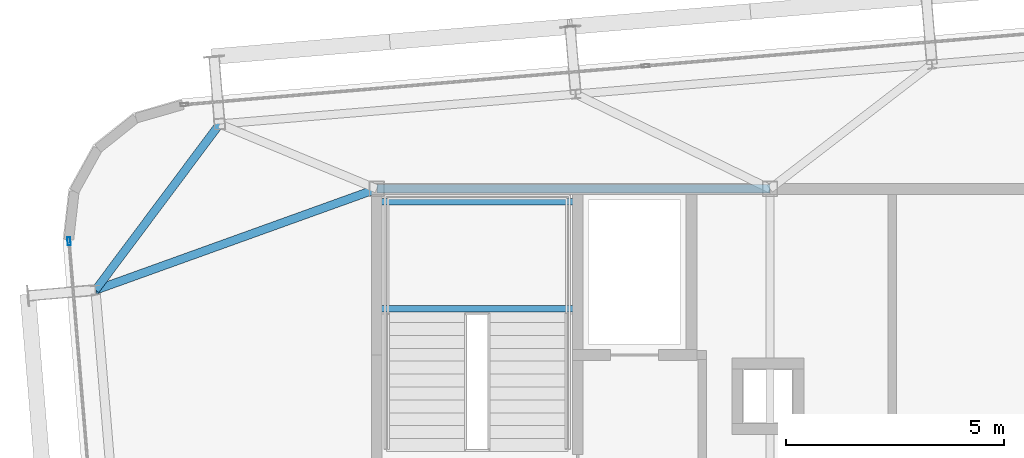
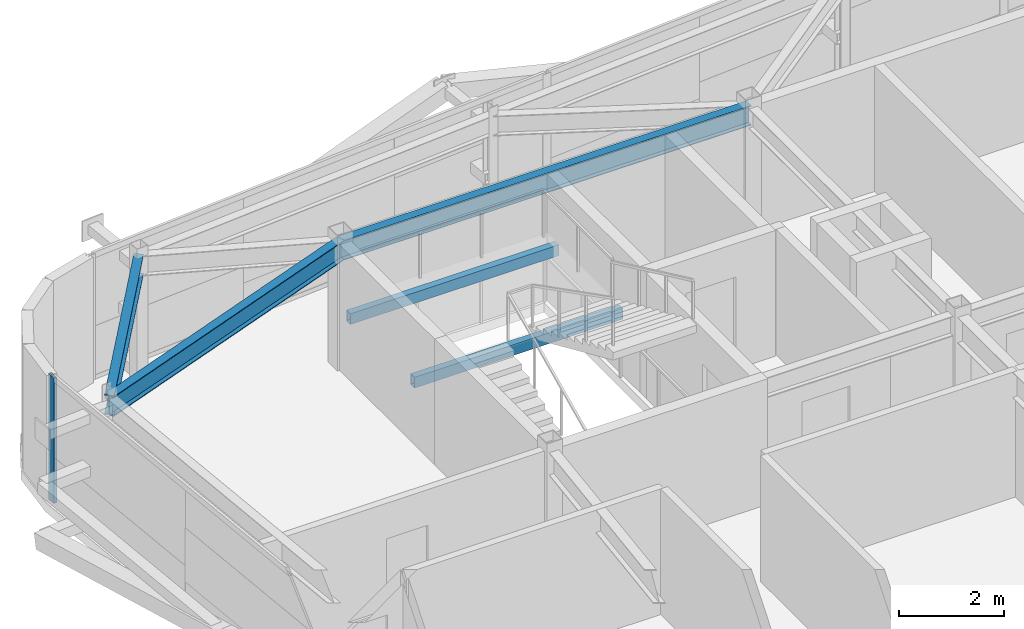
# One storey, part 14 of 37: 5 beams, 1 member, 1 element without a shape of its own.
"""IFC4 building model written with IfcOpenShell, lengths in metres."""

from ifc_helpers import new_model, si_unit, direction, frame, origin, origin_2d, place, context, subcontext, project, spatial, hollow_rectangle, i_section, extrude, source, transform, mapped, material, layer, layer_set, material_profile, profile_set, type_object, element, aggregate, save


model = new_model("IFC4")

# Units and contexts
model_context = context("Model", 3, precision=1e-05, world=origin(), true_north=direction((0.0, 1.0)))
body_context = subcontext(model_context, "Body", "Model", "MODEL_VIEW")
ifc_project = project(units=[si_unit("LENGTHUNIT", "METRE"), si_unit("AREAUNIT", "SQUARE_METRE"), si_unit("VOLUMEUNIT", "CUBIC_METRE"), si_unit("PLANEANGLEUNIT", "RADIAN"), si_unit("MASSUNIT", "GRAM", prefix="KILO")], contexts=[model_context])

# Site, building, storey
site_placement = place(None, origin())
site = spatial("IfcSite", under=ifc_project, at=site_placement, CompositionType="ELEMENT")
building_placement = place(site_placement, origin())
building = spatial("IfcBuilding", under=site, at=building_placement, Name="Taldren Reach Tower", CompositionType="ELEMENT")
storey_placement = place(building_placement, frame((0.0, 0.0, 172.550048828125)))
storey = spatial("IfcBuildingStorey", under=building, at=storey_placement, Name="L52", CompositionType="ELEMENT", Elevation=172.550048828125)

# Beams
ifc_material_1 = material(Name="Steel Gr 350 (350PLUS)", Category="steel")
ifc_material_profile_1 = material_profile(ifc_material_1, i_section(OverallWidth=0.19091796875, OverallDepth=0.4599609375, WebThickness=0.010009765625, FlangeThickness=0.01611328125, at=origin_2d()), Name="460UB82.1")
ifc_profile_set_1 = profile_set([ifc_material_profile_1], Name="Steel Gr 350 (350PLUS)")
beam_type_1 = type_object("IfcBeamType", Name="BM-UB460A", PredefinedType="BEAM", material=ifc_profile_set_1)
shared_shape_1 = source(origin(), body_context, "Body", "SweptSolid", [
    extrude(i_section(OverallWidth=0.19091796875, OverallDepth=0.4599609375, WebThickness=0.010009765625, FlangeThickness=0.01611328125, at=origin_2d()), origin(), (0.0, 0.0, 1.0), 9.0),
])
beam_1_placement = place(storey_placement, frame((19.0, 32.0, 2.699951171875), z_axis=(1.0, 0.0, 0.0), x_axis=(0.0, 1.0, 0.0)))
element("IfcBeam", 1, at=beam_1_placement, inside=storey, type_object=beam_type_1, Name="Core-spine girder L52-SP04", PredefinedType="BEAM", context=body_context, shape_type="MappedRepresentation", body=[
    mapped(shared_shape_1, transform((0.0, 0.0, 0.0), scale=1.0)),
])
ifc_material_profile_2 = material_profile(ifc_material_1, i_section(OverallWidth=0.18994140625, OverallDepth=0.4541015625, WebThickness=0.008544921875, FlangeThickness=0.0126953125, at=origin_2d()), Name="460UB67.1")
ifc_profile_set_2 = profile_set([ifc_material_profile_2], Name="Steel Gr 350 (350PLUS)")
beam_type_2 = type_object("IfcBeamType", Name="SP-UB460B", PredefinedType="SPANDREL", material=ifc_profile_set_2)
shared_shape_2 = source(origin(), body_context, "Body", "SweptSolid", [
    extrude(i_section(OverallWidth=0.18994140625, OverallDepth=0.4541015625, WebThickness=0.008544921875, FlangeThickness=0.0126953125, at=origin_2d()), origin(), (0.0, 0.0, 1.0), 4.74609375),
])
beam_2_placement = place(storey_placement, frame((15.40380859375, 33.483642578125, 2.702880859375), z_axis=(-0.598764719121, -0.800924972226, 0.0), x_axis=(0.800924972226, -0.598764719121, 0.0)))
element("IfcBeam", 2, at=beam_2_placement, inside=storey, type_object=beam_type_2, Name="Perimeter spandrel B4 N1-W3 L52", PredefinedType="SPANDREL", context=body_context, shape_type="MappedRepresentation", body=[
    mapped(shared_shape_2, transform((0.0, 0.0, 0.0), scale=1.0)),
])
shared_shape_3 = source(origin(), body_context, "Body", "SweptSolid", [
    extrude(i_section(OverallWidth=0.19091796875, OverallDepth=0.4599609375, WebThickness=0.010009765625, FlangeThickness=0.01611328125, at=origin_2d()), origin(), (0.0, 0.0, 1.0), 6.842529296875),
])
beam_3_placement = place(storey_placement, frame((19.0, 32.0, 2.699951171875), z_axis=(-0.940889686088, -0.33871315093, 0.0), x_axis=(0.33871315093, -0.940889686088, 0.0)))
element("IfcBeam", 3, at=beam_3_placement, inside=storey, type_object=beam_type_1, Name="Primary floor girder B4-W3 L52", PredefinedType="BEAM", context=body_context, shape_type="MappedRepresentation", body=[
    mapped(shared_shape_3, transform((0.0, 0.0, 0.0), scale=1.0)),
])

# Curtain wall, member
ifc_material_2 = material(Name="Aluminium and Low-E Glass Unitised System", Category="aluminium")
ifc_layer = layer(ifc_material_2, 0.159912109375)
ifc_layer_set = layer_set([ifc_layer], Name="Aluminium and Low-E Glass Unitised System")
curtain_wall_type = type_object("IfcCurtainWallType", Name="CW-SYS-5", PredefinedType="NOTDEFINED", material=ifc_layer_set)
curtain_wall_placement = place(storey_placement, origin())
curtain_wall = element("IfcCurtainWall", 4, at=curtain_wall_placement, inside=storey, type_object=curtain_wall_type, Name="Unitised curtain wall CW-L52-W", PredefinedType="NOTDEFINED")
ifc_material_3 = material(Name="Anodised Aluminium 6063-T6", Category="aluminium")
ifc_material_profile_3 = material_profile(ifc_material_3, hollow_rectangle(XDim=0.070068359375, YDim=0.179931640625, WallThickness=0.00390625, at=origin_2d()), Name="ALU-180x70x4RHS")
ifc_profile_set_3 = profile_set([ifc_material_profile_3], Name="Anodised Aluminium 6063-T6")
member_type = type_object("IfcMemberType", Name="CW-MUL-180", PredefinedType="MULLION", material=ifc_profile_set_3)
shared_shape_4 = source(origin(), body_context, "Body", "SweptSolid", [
    extrude(hollow_rectangle(XDim=0.070068359375, YDim=0.179931640625, WallThickness=0.00390625, at=origin_2d()), origin(), (0.0, 0.0, 1.0), 2.929931640625),
])
member_placement = place(storey_placement, frame((11.956298828125, 30.800537109375, 0.0), z_axis=(0.0, 0.0, 1.0), x_axis=(0.996492847789, 0.083677979808, 0.0)))
member = element("IfcMember", 5, at=member_placement, type_object=member_type, Name="CW-5 mullion 1", PredefinedType="MULLION", context=body_context, shape_type="MappedRepresentation", body=[
    mapped(shared_shape_4, transform((0.0, 0.0, 0.0), scale=1.0)),
])
aggregate(curtain_wall, [member])

# Beams
ifc_material_4 = material(Name="Steel Gr 350 (C350L0)", Category="steel")
ifc_material_profile_4 = material_profile(ifc_material_4, hollow_rectangle(XDim=0.14990234375, YDim=0.25, WallThickness=0.009033203125, at=origin_2d()), Name="250x150x9.0RHS")
ifc_profile_set_4 = profile_set([ifc_material_profile_4], Name="Steel Gr 350 (C350L0)")
beam_type_3 = type_object("IfcBeamType", Name="LN-RHS250", PredefinedType="LINTEL", material=ifc_profile_set_4)
shared_shape_5 = source(origin(), body_context, "Body", "SweptSolid", [
    extrude(hollow_rectangle(XDim=0.14990234375, YDim=0.25, WallThickness=0.009033203125, at=origin_2d()), origin(), (0.0, 0.0, 1.0), 4.60009765625),
])
for number, where, z_axis, x_axis, name in (
    (6, (19.0, 29.2548828125, 1.27001953125), (1.0, 0.0, 0.0), (0.0, 1.0, 0.0), "Stair half-landing support beam ST1-L52-1"),
    (7, (19.0, 31.699951171875, 1.27001953125), (1.0, 0.0, 0.0), (0.0, 1.0, 0.0), "Stair half-landing support beam ST1-L52-2"),
):
    element("IfcBeam", number, at=place(storey_placement, frame(where, z_axis=z_axis, x_axis=x_axis)), inside=storey, type_object=beam_type_3, Name=name, PredefinedType="LINTEL", context=body_context, shape_type="MappedRepresentation", body=[
        mapped(shared_shape_5, transform((0.0, 0.0, 0.0), scale=1.0)),
    ])

save(model, "model.ifc")
